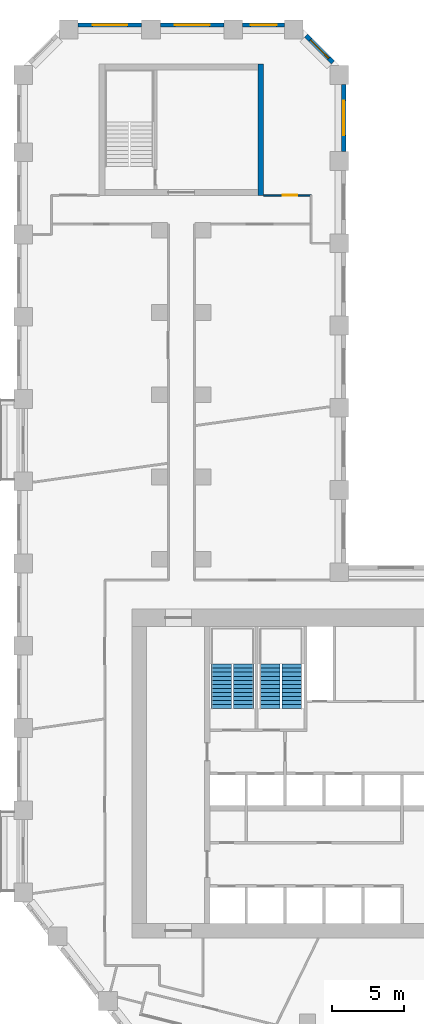
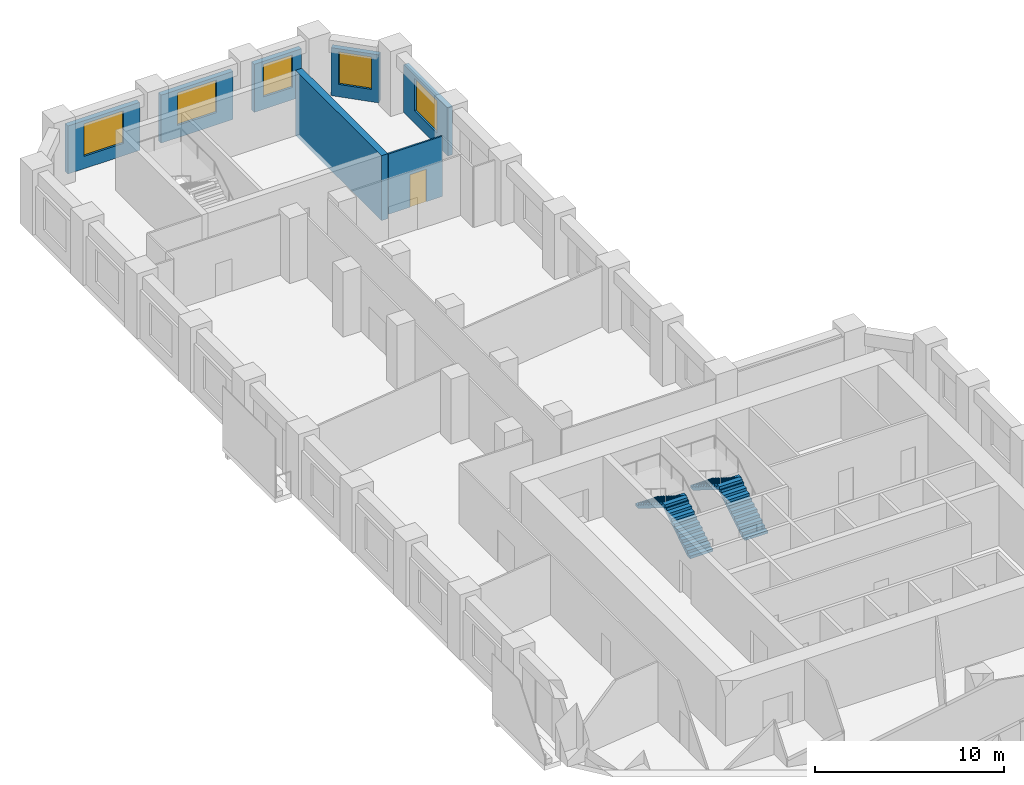
# One storey, part 9 of 11: 7 walls, 5 windows, 4 stair flights, 1 door, 6 openings, 2 elements without a shape of their own.
"""IFC4 building model written with IfcOpenShell, lengths in metres."""

from ifc_helpers import new_model, si_unit, direction, frame, frame_2d, origin, place, context, subcontext, project, spatial, polyline, rectangle, outline, extrude, material, layer, layer_set, type_object, element, fill, aggregate, save


model = new_model("IFC4")

# Units and contexts
model_context = context("Model", 3, precision=1e-05, world=origin(), true_north=direction((0.0, 1.0)))
body_context = subcontext(model_context, "Body", "Model", "MODEL_VIEW")
ifc_project = project(units=[si_unit("LENGTHUNIT", "METRE"), si_unit("AREAUNIT", "SQUARE_METRE"), si_unit("VOLUMEUNIT", "CUBIC_METRE"), si_unit("PLANEANGLEUNIT", "RADIAN"), si_unit("MASSUNIT", "GRAM", prefix="KILO")], contexts=[model_context])

# Site, building, storey
site_placement = place(None, origin())
site = spatial("IfcSite", under=ifc_project, at=site_placement, CompositionType="ELEMENT")
building_placement = place(site_placement, origin())
building = spatial("IfcBuilding", under=site, at=building_placement, Name="Meshkara Civic Tower", CompositionType="ELEMENT")
storey_placement = place(building_placement, frame((0.0, 0.0, 105.60009765625)))
storey = spatial("IfcBuildingStorey", under=building, at=storey_placement, Name="L23", CompositionType="ELEMENT", Elevation=105.60009765625)

# Wall, opening, door
ifc_material_1 = material(Name="Corridor wall 100")
ifc_layer_1 = layer(ifc_material_1, 0.10009765625)
ifc_layer_set_1 = layer_set([ifc_layer_1], Name="Corridor wall 100")
wall_type_1 = type_object("IfcWallType", Name="Corridor wall 100", PredefinedType="PARTITIONING", material=ifc_layer_set_1)
wall_1_placement = place(storey_placement, frame((20.39990234375, 65.570068359375, 0.0), z_axis=(0.0, 0.0, 1.0), x_axis=(-1.0, 0.0, 0.0)))
wall_1 = element("IfcWall", 1, at=wall_1_placement, inside=storey, type_object=wall_type_1, Name="L23-W017", PredefinedType="PARTITIONING", context=body_context, shape_type="SweptSolid", body=[
    extrude(rectangle(XDim=3.2998046875, YDim=0.10009765625, at=frame_2d((1.64990234375, 0.0))), origin(), (0.0, 0.0, 1.0), 3.89990234375),
])
opening_1_placement = place(wall_1_placement, frame((0.97998046875, 0.0, 0.0)))
opening_1 = element("IfcOpeningElement", 2, at=opening_1_placement, cuts=wall_1, Name="Opening L23-D026", PredefinedType="OPENING", context=body_context, shape_type="SweptSolid", body=[
    extrude(rectangle(XDim=1.0, YDim=2.10009765625, at=frame_2d((0.5, 1.050048828125))), frame((0.0, 0.06005859375, 0.0), z_axis=(0.0, -1.0, 0.0), x_axis=(1.0, 0.0, 0.0)), (0.0, 0.0, 1.0), 0.1201171875),
])
ifc_material_2 = material(Name="Door 1000 x 2100")
door_type = type_object("IfcDoorType", Name="Door 1000 x 2100", OperationType="SINGLE_SWING_LEFT", PredefinedType="DOOR", material=ifc_material_2)
door_placement = place(opening_1_placement, origin())
door = element("IfcDoor", 3, at=door_placement, inside=storey, type_object=door_type, Name="L23-D026", OperationType="SINGLE_SWING_RIGHT", OverallHeight=2.10009765625, OverallWidth=1.0, PredefinedType="DOOR", context=body_context, shape_type="SweptSolid", body=[
    extrude(rectangle(XDim=1.0, YDim=2.10009765625, at=frame_2d((0.5, 1.050048828125))), frame((0.0, 0.02490234375, 0.0), z_axis=(0.0, -1.0, 0.0), x_axis=(1.0, 0.0, 0.0)), (0.0, 0.0, 1.0), 0.050048828125),
])
fill(opening_1, door)

# Wall, opening, window
ifc_material_3 = material(Name="Insulated infill panel with bronze anodised aluminium cladding", Category="aluminium")
ifc_layer_2 = layer(ifc_material_3, 0.300048828125)
ifc_layer_set_2 = layer_set([ifc_layer_2], Name="EXTERNAL INFILL WALL 300")
wall_type_2 = type_object("IfcWallType", Name="EXTERNAL INFILL WALL 300", PredefinedType="SOLIDWALL", material=ifc_layer_set_2)
wall_2_placement = place(storey_placement, frame((22.64990234375, 68.60009765625, 0.0), z_axis=(0.0, 0.0, 1.0), x_axis=(0.0, 1.0, 0.0)))
wall_2 = element("IfcWall", 4, at=wall_2_placement, inside=storey, type_object=wall_type_2, Name="External wall", PredefinedType="SOLIDWALL", context=body_context, shape_type="SweptSolid", body=[
    extrude(rectangle(XDim=4.663818359375, YDim=0.300048828125, at=frame_2d((2.33203125, 0.0))), origin(), (0.0, 0.0, 1.0), 3.099853515625),
])
opening_2_placement = place(wall_2_placement, frame((1.132080078125, 0.0, 0.800048828125)))
opening_2 = element("IfcOpeningElement", 5, at=opening_2_placement, cuts=wall_2, Name="Opening W7", PredefinedType="OPENING", context=body_context, shape_type="SweptSolid", body=[
    extrude(rectangle(XDim=2.39990234375, YDim=2.10009765625, at=frame_2d((1.199951171875, 1.050048828125))), frame((0.0, 0.159912109375, 0.0), z_axis=(0.0, -1.0, 0.0), x_axis=(1.0, 0.0, 0.0)), (0.0, 0.0, 1.0), 0.320068359375),
])
ifc_material_4 = material(Name="Tinted double glazing", Category="glass")
window_type_1 = type_object("IfcWindowType", Name="WINDOW 2400x2100", PartitioningType="DOUBLE_PANEL_VERTICAL", PredefinedType="WINDOW", material=ifc_material_4)
window_1_placement = place(opening_2_placement, origin())
window_1 = element("IfcWindow", 6, at=window_1_placement, inside=storey, type_object=window_type_1, Name="Window", OverallHeight=2.10009765625, OverallWidth=2.39990234375, PartitioningType="DOUBLE_PANEL_VERTICAL", PredefinedType="WINDOW", context=body_context, shape_type="SweptSolid", body=[
    extrude(rectangle(XDim=2.39990234375, YDim=2.10009765625, at=frame_2d((1.199951171875, 1.050048828125))), frame((0.0, 0.030029296875, 0.0), z_axis=(0.0, -1.0, 0.0), x_axis=(1.0, 0.0, 0.0)), (0.0, 0.0, 1.0), 0.06005859375),
])
fill(opening_2, window_1)

wall_3_placement = place(storey_placement, frame((21.912109375, 74.77587890625, 0.0), z_axis=(0.0, 0.0, 1.0), x_axis=(-0.707106781187, 0.707106781187, 0.0)))
wall_3 = element("IfcWall", 7, at=wall_3_placement, inside=storey, type_object=wall_type_2, Name="External wall", PredefinedType="SOLIDWALL", context=body_context, shape_type="SweptSolid", body=[
    extrude(rectangle(XDim=2.625, YDim=0.300048828125, at=frame_2d((1.3125, 0.0))), origin(), (0.0, 0.0, 1.0), 3.099853515625),
])
opening_3_placement = place(wall_3_placement, frame((0.412109375, 0.0, 0.800048828125)))
opening_3 = element("IfcOpeningElement", 8, at=opening_3_placement, cuts=wall_3, Name="Opening W9", PredefinedType="OPENING", context=body_context, shape_type="SweptSolid", body=[
    extrude(rectangle(XDim=1.800048828125, YDim=2.10009765625, at=frame_2d((0.89990234375, 1.050048828125))), frame((0.0, 0.159912109375, 0.0), z_axis=(0.0, -1.0, 0.0), x_axis=(1.0, 0.0, 0.0)), (0.0, 0.0, 1.0), 0.320068359375),
])
ifc_material_5 = material(Name="Tinted double glazing", Category="glass")
window_type_2 = type_object("IfcWindowType", Name="WINDOW 1800x2100", PartitioningType="DOUBLE_PANEL_VERTICAL", PredefinedType="WINDOW", material=ifc_material_5)
window_2_placement = place(opening_3_placement, origin())
window_2 = element("IfcWindow", 9, at=window_2_placement, inside=storey, type_object=window_type_2, Name="Window", OverallHeight=2.10009765625, OverallWidth=1.800048828125, PartitioningType="DOUBLE_PANEL_VERTICAL", PredefinedType="WINDOW", context=body_context, shape_type="SweptSolid", body=[
    extrude(rectangle(XDim=1.800048828125, YDim=2.10009765625, at=frame_2d((0.89990234375, 1.050048828125))), frame((0.0, 0.030029296875, 0.0), z_axis=(0.0, -1.0, 0.0), x_axis=(1.0, 0.0, 0.0)), (0.0, 0.0, 1.0), 0.06005859375),
])
fill(opening_3, window_2)

wall_4_placement = place(storey_placement, frame((18.5439453125, 77.3701171875, 0.0), z_axis=(0.0, 0.0, 1.0), x_axis=(-1.0, 0.0, 0.0)))
wall_4 = element("IfcWall", 10, at=wall_4_placement, inside=storey, type_object=wall_type_2, Name="External wall", PredefinedType="SOLIDWALL", context=body_context, shape_type="SweptSolid", body=[
    extrude(rectangle(XDim=2.887939453125, YDim=0.300048828125, at=frame_2d((1.44384765625, 0.0))), origin(), (0.0, 0.0, 1.0), 3.099853515625),
])
opening_4_placement = place(wall_4_placement, frame((0.5439453125, 0.0, 0.800048828125)))
opening_4 = element("IfcOpeningElement", 11, at=opening_4_placement, cuts=wall_4, Name="Opening W9", PredefinedType="OPENING", context=body_context, shape_type="SweptSolid", body=[
    extrude(rectangle(XDim=1.800048828125, YDim=2.10009765625, at=frame_2d((0.89990234375, 1.050048828125))), frame((0.0, 0.159912109375, 0.0), z_axis=(0.0, -1.0, 0.0), x_axis=(1.0, 0.0, 0.0)), (0.0, 0.0, 1.0), 0.320068359375),
])
window_3_placement = place(opening_4_placement, origin())
window_3 = element("IfcWindow", 12, at=window_3_placement, inside=storey, type_object=window_type_2, Name="Window", OverallHeight=2.10009765625, OverallWidth=1.800048828125, PartitioningType="DOUBLE_PANEL_VERTICAL", PredefinedType="WINDOW", context=body_context, shape_type="SweptSolid", body=[
    extrude(rectangle(XDim=1.800048828125, YDim=2.10009765625, at=frame_2d((0.89990234375, 1.050048828125))), frame((0.0, 0.030029296875, 0.0), z_axis=(0.0, -1.0, 0.0), x_axis=(1.0, 0.0, 0.0)), (0.0, 0.0, 1.0), 0.06005859375),
])
fill(opening_4, window_3)

wall_5_placement = place(storey_placement, frame((14.35595703125, 77.3701171875, 0.0), z_axis=(0.0, 0.0, 1.0), x_axis=(-1.0, 0.0, 0.0)))
wall_5 = element("IfcWall", 13, at=wall_5_placement, inside=storey, type_object=wall_type_2, Name="External wall", PredefinedType="SOLIDWALL", context=body_context, shape_type="SweptSolid", body=[
    extrude(rectangle(XDim=4.39990234375, YDim=0.300048828125, at=frame_2d((2.199951171875, 0.0))), origin(), (0.0, 0.0, 1.0), 3.099853515625),
])
opening_5_placement = place(wall_5_placement, frame((1.0, 0.0, 0.800048828125)))
opening_5 = element("IfcOpeningElement", 14, at=opening_5_placement, cuts=wall_5, Name="Opening W7", PredefinedType="OPENING", context=body_context, shape_type="SweptSolid", body=[
    extrude(rectangle(XDim=2.39990234375, YDim=2.10009765625, at=frame_2d((1.199951171875, 1.050048828125))), frame((0.0, 0.159912109375, 0.0), z_axis=(0.0, -1.0, 0.0), x_axis=(1.0, 0.0, 0.0)), (0.0, 0.0, 1.0), 0.320068359375),
])
window_4_placement = place(opening_5_placement, origin())
window_4 = element("IfcWindow", 15, at=window_4_placement, inside=storey, type_object=window_type_1, Name="Window", OverallHeight=2.10009765625, OverallWidth=2.39990234375, PartitioningType="DOUBLE_PANEL_VERTICAL", PredefinedType="WINDOW", context=body_context, shape_type="SweptSolid", body=[
    extrude(rectangle(XDim=2.39990234375, YDim=2.10009765625, at=frame_2d((1.199951171875, 1.050048828125))), frame((0.0, 0.030029296875, 0.0), z_axis=(0.0, -1.0, 0.0), x_axis=(1.0, 0.0, 0.0)), (0.0, 0.0, 1.0), 0.06005859375),
])
fill(opening_5, window_4)

wall_6_placement = place(storey_placement, frame((8.656005859375, 77.3701171875, 0.0), z_axis=(0.0, 0.0, 1.0), x_axis=(-1.0, 0.0, 0.0)))
wall_6 = element("IfcWall", 16, at=wall_6_placement, inside=storey, type_object=wall_type_2, Name="External wall", PredefinedType="SOLIDWALL", context=body_context, shape_type="SweptSolid", body=[
    extrude(rectangle(XDim=4.39990234375, YDim=0.300048828125, at=frame_2d((2.199951171875, 0.0))), origin(), (0.0, 0.0, 1.0), 3.099853515625),
])
opening_6_placement = place(wall_6_placement, frame((1.0, 0.0, 0.800048828125)))
opening_6 = element("IfcOpeningElement", 17, at=opening_6_placement, cuts=wall_6, Name="Opening W7", PredefinedType="OPENING", context=body_context, shape_type="SweptSolid", body=[
    extrude(rectangle(XDim=2.39990234375, YDim=2.10009765625, at=frame_2d((1.199951171875, 1.050048828125))), frame((0.0, 0.159912109375, 0.0), z_axis=(0.0, -1.0, 0.0), x_axis=(1.0, 0.0, 0.0)), (0.0, 0.0, 1.0), 0.320068359375),
])
window_5_placement = place(opening_6_placement, origin())
window_5 = element("IfcWindow", 18, at=window_5_placement, inside=storey, type_object=window_type_1, Name="Window", OverallHeight=2.10009765625, OverallWidth=2.39990234375, PartitioningType="DOUBLE_PANEL_VERTICAL", PredefinedType="WINDOW", context=body_context, shape_type="SweptSolid", body=[
    extrude(rectangle(XDim=2.39990234375, YDim=2.10009765625, at=frame_2d((1.199951171875, 1.050048828125))), frame((0.0, 0.030029296875, 0.0), z_axis=(0.0, -1.0, 0.0), x_axis=(1.0, 0.0, 0.0)), (0.0, 0.0, 1.0), 0.06005859375),
])
fill(opening_6, window_5)

# Wall
ifc_material_6 = material(Name="Concrete C70", Category="concrete")
ifc_layer_3 = layer(ifc_material_6, 0.39990234375)
ifc_layer_set_3 = layer_set([ifc_layer_3], Name="End core ring wall 400 C70")
wall_type_3 = type_object("IfcWallType", Name="End core ring wall 400 C70", PredefinedType="SHEAR", material=ifc_layer_set_3)
wall_7_placement = place(storey_placement, frame((16.89990234375, 65.570068359375, -0.300048828125), z_axis=(0.0, 0.0, 1.0), x_axis=(0.0, 1.0, 0.0)))
element("IfcWall", 19, at=wall_7_placement, inside=storey, type_object=wall_type_3, Name="L23-C027", PredefinedType="SHEAR", context=body_context, shape_type="SweptSolid", body=[
    extrude(rectangle(XDim=9.099853515625, YDim=0.39990234375, at=frame_2d((4.5498046875, 0.0))), origin(), (0.0, 0.0, 1.0), 4.199951171875),
])

# Stair, stair flights
ifc_material_7 = material(Name="Precast concrete C40/50", Category="concrete")
stair_type = type_object("IfcStairType", Name="Exit stair half-turn 24 risers precast", PredefinedType="HALF_TURN_STAIR", material=ifc_material_7)
stair_1_placement = place(storey_placement, origin())
stair_1 = element("IfcStair", 20, at=stair_1_placement, inside=storey, type_object=stair_type, Name="L23 exit stair 1", PredefinedType="HALF_TURN_STAIR")
ifc_material_8 = material(Name="Precast concrete C40/50", Category="concrete")
stair_flight_type = type_object("IfcStairFlightType", Name="Exit stair flight 12 risers precast", PredefinedType="STRAIGHT", material=ifc_material_8)
stair_flight_1_placement = place(storey_placement, frame((15.72509765625, 30.0, 0.0), z_axis=(0.0, 0.0, 1.0), x_axis=(0.0, 1.0, 0.0)))
stair_flight_1 = element("IfcStairFlight", 21, at=stair_flight_1_placement, type_object=stair_flight_type, Name="ST1 flight 1", NumberOfRisers=12, NumberOfTreads=11, PredefinedType="STRAIGHT", RiserHeight=0.175, TreadLength=0.28, context=body_context, shape_type="SweptSolid", body=[
    extrude(outline(polyline([(0.0, 0.0), (0.0, 0.175048828125), (0.280029296875, 0.175048828125), (0.280029296875, 0.35009765625), (0.56005859375, 0.35009765625), (0.56005859375, 0.52490234375), (0.840087890625, 0.52490234375), (0.840087890625, 0.699951171875), (1.1201171875, 0.699951171875), (1.1201171875, 0.875), (1.39990234375, 0.875), (1.39990234375, 1.050048828125), (1.679931640625, 1.050048828125), (1.679931640625, 1.22509765625), (1.9599609375, 1.22509765625), (1.9599609375, 1.39990234375), (2.239990234375, 1.39990234375), (2.239990234375, 1.574951171875), (2.52001953125, 1.574951171875), (2.52001953125, 1.75), (2.800048828125, 1.75), (2.800048828125, 1.925048828125), (3.080078125, 1.925048828125), (3.080078125, 2.10009765625), (3.080078125, 1.748291015625), (0.28271484375, 0.0), (0.0, 0.0)])), frame((0.0, 0.699951171875, 0.0), z_axis=(0.0, -1.0, 0.0), x_axis=(1.0, 0.0, 0.0)), (0.0, 0.0, 1.0), 1.39990234375),
])
stair_flight_2_placement = place(storey_placement, frame((14.175048828125, 33.080078125, 2.099853515625), z_axis=(0.0, 0.0, 1.0), x_axis=(0.0, -1.0, 0.0)))
stair_flight_2 = element("IfcStairFlight", 22, at=stair_flight_2_placement, type_object=stair_flight_type, Name="ST1 flight 2", NumberOfRisers=12, NumberOfTreads=11, PredefinedType="STRAIGHT", RiserHeight=0.175, TreadLength=0.28, context=body_context, shape_type="SweptSolid", body=[
    extrude(outline(polyline([(0.0, 0.0), (0.0, 0.175048828125), (0.280029296875, 0.175048828125), (0.280029296875, 0.35009765625), (0.56005859375, 0.35009765625), (0.56005859375, 0.52490234375), (0.840087890625, 0.52490234375), (0.840087890625, 0.699951171875), (1.1201171875, 0.699951171875), (1.1201171875, 0.875), (1.39990234375, 0.875), (1.39990234375, 1.050048828125), (1.679931640625, 1.050048828125), (1.679931640625, 1.22509765625), (1.9599609375, 1.22509765625), (1.9599609375, 1.39990234375), (2.239990234375, 1.39990234375), (2.239990234375, 1.574951171875), (2.52001953125, 1.574951171875), (2.52001953125, 1.75), (2.800048828125, 1.75), (2.800048828125, 1.925048828125), (3.080078125, 1.925048828125), (3.080078125, 2.10009765625), (3.080078125, 1.748291015625), (0.28271484375, 0.0), (0.0, 0.0)])), frame((0.0, 0.699951171875, 0.0), z_axis=(0.0, -1.0, 0.0), x_axis=(1.0, 0.0, 0.0)), (0.0, 0.0, 1.0), 1.39990234375),
])
aggregate(stair_1, [stair_flight_1, stair_flight_2])

stair_2_placement = place(storey_placement, origin())
stair_2 = element("IfcStair", 23, at=stair_2_placement, inside=storey, type_object=stair_type, Name="L23 exit stair 2", PredefinedType="HALF_TURN_STAIR")
stair_flight_3_placement = place(storey_placement, frame((19.074951171875, 30.0, 0.0), z_axis=(0.0, 0.0, 1.0), x_axis=(0.0, 1.0, 0.0)))
stair_flight_3 = element("IfcStairFlight", 24, at=stair_flight_3_placement, type_object=stair_flight_type, Name="ST2 flight 1", NumberOfRisers=12, NumberOfTreads=11, PredefinedType="STRAIGHT", RiserHeight=0.175, TreadLength=0.28, context=body_context, shape_type="SweptSolid", body=[
    extrude(outline(polyline([(0.0, 0.0), (0.0, 0.175048828125), (0.280029296875, 0.175048828125), (0.280029296875, 0.35009765625), (0.56005859375, 0.35009765625), (0.56005859375, 0.52490234375), (0.840087890625, 0.52490234375), (0.840087890625, 0.699951171875), (1.1201171875, 0.699951171875), (1.1201171875, 0.875), (1.39990234375, 0.875), (1.39990234375, 1.050048828125), (1.679931640625, 1.050048828125), (1.679931640625, 1.22509765625), (1.9599609375, 1.22509765625), (1.9599609375, 1.39990234375), (2.239990234375, 1.39990234375), (2.239990234375, 1.574951171875), (2.52001953125, 1.574951171875), (2.52001953125, 1.75), (2.800048828125, 1.75), (2.800048828125, 1.925048828125), (3.080078125, 1.925048828125), (3.080078125, 2.10009765625), (3.080078125, 1.748291015625), (0.28271484375, 0.0), (0.0, 0.0)])), frame((0.0, 0.699951171875, 0.0), z_axis=(0.0, -1.0, 0.0), x_axis=(1.0, 0.0, 0.0)), (0.0, 0.0, 1.0), 1.39990234375),
])
stair_flight_4_placement = place(storey_placement, frame((17.52490234375, 33.080078125, 2.099853515625), z_axis=(0.0, 0.0, 1.0), x_axis=(0.0, -1.0, 0.0)))
stair_flight_4 = element("IfcStairFlight", 25, at=stair_flight_4_placement, type_object=stair_flight_type, Name="ST2 flight 2", NumberOfRisers=12, NumberOfTreads=11, PredefinedType="STRAIGHT", RiserHeight=0.175, TreadLength=0.28, context=body_context, shape_type="SweptSolid", body=[
    extrude(outline(polyline([(0.0, 0.0), (0.0, 0.175048828125), (0.280029296875, 0.175048828125), (0.280029296875, 0.35009765625), (0.56005859375, 0.35009765625), (0.56005859375, 0.52490234375), (0.840087890625, 0.52490234375), (0.840087890625, 0.699951171875), (1.1201171875, 0.699951171875), (1.1201171875, 0.875), (1.39990234375, 0.875), (1.39990234375, 1.050048828125), (1.679931640625, 1.050048828125), (1.679931640625, 1.22509765625), (1.9599609375, 1.22509765625), (1.9599609375, 1.39990234375), (2.239990234375, 1.39990234375), (2.239990234375, 1.574951171875), (2.52001953125, 1.574951171875), (2.52001953125, 1.75), (2.800048828125, 1.75), (2.800048828125, 1.925048828125), (3.080078125, 1.925048828125), (3.080078125, 2.10009765625), (3.080078125, 1.748291015625), (0.28271484375, 0.0), (0.0, 0.0)])), frame((0.0, 0.699951171875, 0.0), z_axis=(0.0, -1.0, 0.0), x_axis=(1.0, 0.0, 0.0)), (0.0, 0.0, 1.0), 1.39990234375),
])
aggregate(stair_2, [stair_flight_3, stair_flight_4])

save(model, "model.ifc")
